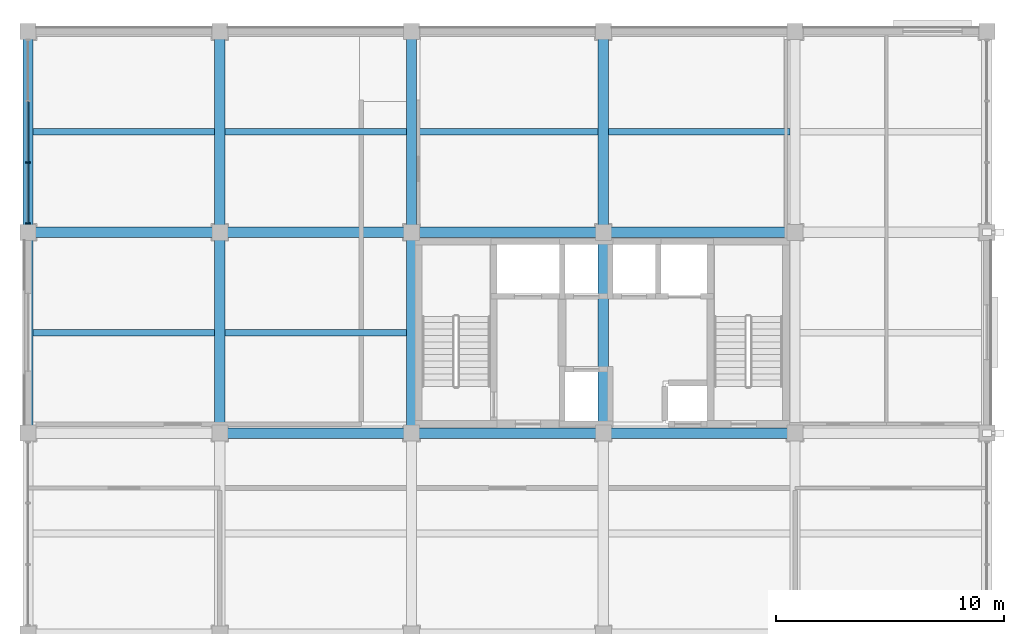
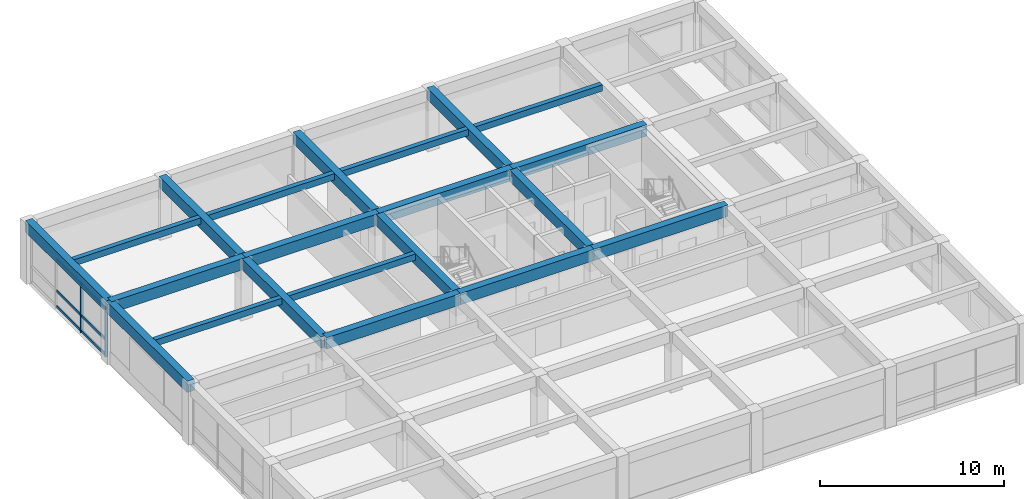
# One storey, part 3 of 14: 21 beams, 8 members, 1 element without a shape of its own.
"""IFC4 building model written with IfcOpenShell, lengths in metres."""

from ifc_helpers import new_model, si_unit, direction, frame, origin, origin_2d, place, context, subcontext, project, spatial, rectangle, extrude, material, material_profile, profile_set, type_object, element, aggregate, save


model = new_model("IFC4")

# Units and contexts
model_context = context("Model", 3, precision=1e-05, world=origin(), true_north=direction((0.0, 1.0)))
body_context = subcontext(model_context, "Body", "Model", "MODEL_VIEW")
ifc_project = project(units=[si_unit("LENGTHUNIT", "METRE"), si_unit("AREAUNIT", "SQUARE_METRE"), si_unit("VOLUMEUNIT", "CUBIC_METRE"), si_unit("PLANEANGLEUNIT", "RADIAN"), si_unit("MASSUNIT", "GRAM", prefix="KILO")], contexts=[model_context])

# Site, building, storey
site_placement = place(None, origin())
site = spatial("IfcSite", under=ifc_project, at=site_placement, CompositionType="ELEMENT")
building_placement = place(site_placement, origin())
building = spatial("IfcBuilding", under=site, at=building_placement, Name="Kemercrest Conservatory and Botanical Centre", CompositionType="ELEMENT")
storey_placement = place(building_placement, frame((0.0, 0.0, 32.800048828125)))
storey = spatial("IfcBuildingStorey", under=building, at=storey_placement, Name="L08", CompositionType="ELEMENT", Elevation=32.800048828125)

# Beams
ifc_material_1 = material(Name="Concrete C40/50", Category="concrete")
ifc_material_profile_1 = material_profile(ifc_material_1, rectangle(XDim=0.449951171875, YDim=0.75, at=origin_2d()), Name="RC 450x750")
ifc_profile_set_1 = profile_set([ifc_material_profile_1], Name="Concrete C40/50")
beam_type_1 = type_object("IfcBeamType", Name="BM-RC75", PredefinedType="BEAM", material=ifc_profile_set_1)
beam_1_placement = place(storey_placement, frame((142.39990234375, 104.800048828125, 3.625), z_axis=(1.0, 0.0, 0.0), x_axis=(0.0, 1.0, 0.0)))
element("IfcBeam", 1, at=beam_1_placement, inside=storey, type_object=beam_type_1, Name="V4-L09 beam BM-RC75 M/17-18", PredefinedType="BEAM", context=body_context, shape_type="SweptSolid", body=[
    extrude(rectangle(XDim=0.449951171875, YDim=0.75, at=origin_2d()), origin(), (0.0, 0.0, 1.0), 8.400146484375),
])
beam_2_placement = place(storey_placement, frame((150.800048828125, 104.800048828125, 3.625), z_axis=(1.0, 0.0, 0.0), x_axis=(0.0, 1.0, 0.0)))
element("IfcBeam", 2, at=beam_2_placement, inside=storey, type_object=beam_type_1, Name="V4-L09 beam BM-RC75 M/18-19", PredefinedType="BEAM", context=body_context, shape_type="SweptSolid", body=[
    extrude(rectangle(XDim=0.449951171875, YDim=0.75, at=origin_2d()), origin(), (0.0, 0.0, 1.0), 8.39990234375),
])
beam_3_placement = place(storey_placement, frame((159.199951171875, 104.800048828125, 3.625), z_axis=(1.0, 0.0, 0.0), x_axis=(0.0, 1.0, 0.0)))
element("IfcBeam", 3, at=beam_3_placement, inside=storey, type_object=beam_type_1, Name="V4-L09 beam BM-RC75 M/19-20", PredefinedType="BEAM", context=body_context, shape_type="SweptSolid", body=[
    extrude(rectangle(XDim=0.449951171875, YDim=0.75, at=origin_2d()), origin(), (0.0, 0.0, 1.0), 8.400146484375),
])
beam_4_placement = place(storey_placement, frame((134.0, 113.60009765625, 3.625), z_axis=(1.0, 0.0, 0.0), x_axis=(0.0, 1.0, 0.0)))
element("IfcBeam", 4, at=beam_4_placement, inside=storey, type_object=beam_type_1, Name="V4-L09 beam BM-RC75 N/16-17", PredefinedType="BEAM", context=body_context, shape_type="SweptSolid", body=[
    extrude(rectangle(XDim=0.449951171875, YDim=0.75, at=origin_2d()), origin(), (0.0, 0.0, 1.0), 8.39990234375),
])
beam_5_placement = place(storey_placement, frame((142.39990234375, 113.60009765625, 3.625), z_axis=(1.0, 0.0, 0.0), x_axis=(0.0, 1.0, 0.0)))
element("IfcBeam", 5, at=beam_5_placement, inside=storey, type_object=beam_type_1, Name="V4-L09 beam BM-RC75 N/17-18", PredefinedType="BEAM", context=body_context, shape_type="SweptSolid", body=[
    extrude(rectangle(XDim=0.449951171875, YDim=0.75, at=origin_2d()), origin(), (0.0, 0.0, 1.0), 8.400146484375),
])
beam_6_placement = place(storey_placement, frame((150.800048828125, 113.60009765625, 3.625), z_axis=(1.0, 0.0, 0.0), x_axis=(0.0, 1.0, 0.0)))
element("IfcBeam", 6, at=beam_6_placement, inside=storey, type_object=beam_type_1, Name="V4-L09 beam BM-RC75 N/18-19", PredefinedType="BEAM", context=body_context, shape_type="SweptSolid", body=[
    extrude(rectangle(XDim=0.449951171875, YDim=0.75, at=origin_2d()), origin(), (0.0, 0.0, 1.0), 8.39990234375),
])
beam_7_placement = place(storey_placement, frame((159.199951171875, 113.60009765625, 3.625), z_axis=(1.0, 0.0, 0.0), x_axis=(0.0, 1.0, 0.0)))
element("IfcBeam", 7, at=beam_7_placement, inside=storey, type_object=beam_type_1, Name="V4-L09 beam BM-RC75 N/19-20", PredefinedType="BEAM", context=body_context, shape_type="SweptSolid", body=[
    extrude(rectangle(XDim=0.449951171875, YDim=0.75, at=origin_2d()), origin(), (0.0, 0.0, 1.0), 8.400146484375),
])
beam_8_placement = place(storey_placement, frame((142.39990234375, 104.800048828125, 3.625), z_axis=(0.0, 1.0, 0.0), x_axis=(-1.0, 0.0, 0.0)))
element("IfcBeam", 8, at=beam_8_placement, inside=storey, type_object=beam_type_1, Name="V4-L09 beam BM-RC75 17/M-N", PredefinedType="BEAM", context=body_context, shape_type="SweptSolid", body=[
    extrude(rectangle(XDim=0.449951171875, YDim=0.75, at=origin_2d()), origin(), (0.0, 0.0, 1.0), 8.800048828125),
])
beam_9_placement = place(storey_placement, frame((142.39990234375, 113.60009765625, 3.625), z_axis=(0.0, 1.0, 0.0), x_axis=(-1.0, 0.0, 0.0)))
element("IfcBeam", 9, at=beam_9_placement, inside=storey, type_object=beam_type_1, Name="V4-L09 beam BM-RC75 17/N-P", PredefinedType="BEAM", context=body_context, shape_type="SweptSolid", body=[
    extrude(rectangle(XDim=0.449951171875, YDim=0.75, at=origin_2d()), origin(), (0.0, 0.0, 1.0), 8.7998046875),
])
beam_10_placement = place(storey_placement, frame((150.800048828125, 104.800048828125, 3.625), z_axis=(0.0, 1.0, 0.0), x_axis=(-1.0, 0.0, 0.0)))
element("IfcBeam", 10, at=beam_10_placement, inside=storey, type_object=beam_type_1, Name="V4-L09 beam BM-RC75 18/M-N", PredefinedType="BEAM", context=body_context, shape_type="SweptSolid", body=[
    extrude(rectangle(XDim=0.449951171875, YDim=0.75, at=origin_2d()), origin(), (0.0, 0.0, 1.0), 8.800048828125),
])
beam_11_placement = place(storey_placement, frame((150.800048828125, 113.60009765625, 3.625), z_axis=(0.0, 1.0, 0.0), x_axis=(-1.0, 0.0, 0.0)))
element("IfcBeam", 11, at=beam_11_placement, inside=storey, type_object=beam_type_1, Name="V4-L09 beam BM-RC75 18/N-P", PredefinedType="BEAM", context=body_context, shape_type="SweptSolid", body=[
    extrude(rectangle(XDim=0.449951171875, YDim=0.75, at=origin_2d()), origin(), (0.0, 0.0, 1.0), 8.7998046875),
])
beam_12_placement = place(storey_placement, frame((159.199951171875, 104.800048828125, 3.625), z_axis=(0.0, 1.0, 0.0), x_axis=(-1.0, 0.0, 0.0)))
element("IfcBeam", 12, at=beam_12_placement, inside=storey, type_object=beam_type_1, Name="V4-L09 beam BM-RC75 19/M-N", PredefinedType="BEAM", context=body_context, shape_type="SweptSolid", body=[
    extrude(rectangle(XDim=0.449951171875, YDim=0.75, at=origin_2d()), origin(), (0.0, 0.0, 1.0), 8.800048828125),
])
beam_13_placement = place(storey_placement, frame((159.199951171875, 113.60009765625, 3.625), z_axis=(0.0, 1.0, 0.0), x_axis=(-1.0, 0.0, 0.0)))
element("IfcBeam", 13, at=beam_13_placement, inside=storey, type_object=beam_type_1, Name="V4-L09 beam BM-RC75 19/N-P", PredefinedType="BEAM", context=body_context, shape_type="SweptSolid", body=[
    extrude(rectangle(XDim=0.449951171875, YDim=0.75, at=origin_2d()), origin(), (0.0, 0.0, 1.0), 8.7998046875),
])

# Curtain wall, members
ifc_material_2 = material(Name="Thermally broken aluminium and triple low-e glazing", Category="aluminium")
curtain_wall_type = type_object("IfcCurtainWallType", Name="CW-09", PredefinedType="USERDEFINED", material=ifc_material_2)
curtain_wall_placement = place(storey_placement, origin())
curtain_wall = element("IfcCurtainWall", 14, at=curtain_wall_placement, inside=storey, type_object=curtain_wall_type, Name="Unitised curtain wall CW-09 (CW:L08:V4-098)", ObjectType="UNITISED CURTAIN WALL", PredefinedType="USERDEFINED")
ifc_material_3 = material(Name="Thermally broken anodized aluminium 6063-T6", Category="aluminium")
ifc_material_profile_2 = material_profile(ifc_material_3, rectangle(XDim=0.199951171875, YDim=0.06494140625, at=origin_2d()), Name="AL MULLION 65x200")
ifc_profile_set_2 = profile_set([ifc_material_profile_2], Name="Thermally broken anodized aluminium 6063-T6")
member_type_1 = type_object("IfcMemberType", Name="CW-M200", PredefinedType="MULLION", material=ifc_profile_set_2)
member_1_placement = place(storey_placement, frame((134.0, 116.6484375, 0.0), z_axis=(0.0, 0.0, 1.0), x_axis=(1.0, 0.0, 0.0)))
member_1 = element("IfcMember", 15, at=member_1_placement, type_object=member_type_1, Name="CW-09 mullion 3", PredefinedType="MULLION", context=body_context, shape_type="SweptSolid", body=[
    extrude(rectangle(XDim=0.199951171875, YDim=0.06494140625, at=origin_2d()), origin(), (0.0, 0.0, 1.0), 3.2548828125),
])
member_2_placement = place(storey_placement, frame((134.0, 113.9775390625, 0.0), z_axis=(0.0, 0.0, 1.0), x_axis=(1.0, 0.0, 0.0)))
member_2 = element("IfcMember", 16, at=member_2_placement, type_object=member_type_1, Name="CW-09 mullion 4", PredefinedType="MULLION", context=body_context, shape_type="SweptSolid", body=[
    extrude(rectangle(XDim=0.199951171875, YDim=0.06494140625, at=origin_2d()), origin(), (0.0, 0.0, 1.0), 3.2548828125),
])
ifc_material_profile_3 = material_profile(ifc_material_3, rectangle(XDim=0.074951171875, YDim=0.179931640625, at=origin_2d()), Name="AL TRANSOM 75x180")
ifc_profile_set_3 = profile_set([ifc_material_profile_3], Name="Thermally broken anodized aluminium 6063-T6")
member_type_2 = type_object("IfcMemberType", Name="CW-T180", PredefinedType="USERDEFINED", material=ifc_profile_set_3)
member_3_placement = place(storey_placement, frame((134.0, 119.319091796875, 0.08984375), z_axis=(0.0, -1.0, 0.0), x_axis=(1.0, 0.0, 0.0)))
member_3 = element("IfcMember", 17, at=member_3_placement, type_object=member_type_2, Name="CW-09 transom 2.1", ObjectType="TRANSOM", PredefinedType="USERDEFINED", context=body_context, shape_type="SweptSolid", body=[
    extrude(rectangle(XDim=0.074951171875, YDim=0.179931640625, at=origin_2d()), origin(), (0.0, 0.0, 1.0), 2.63818359375),
])
member_4_placement = place(storey_placement, frame((134.0, 119.319091796875, 1.119873046875), z_axis=(0.0, -1.0, 0.0), x_axis=(1.0, 0.0, 0.0)))
member_4 = element("IfcMember", 18, at=member_4_placement, type_object=member_type_2, Name="CW-09 transom 2.2", ObjectType="TRANSOM", PredefinedType="USERDEFINED", context=body_context, shape_type="SweptSolid", body=[
    extrude(rectangle(XDim=0.074951171875, YDim=0.179931640625, at=origin_2d()), origin(), (0.0, 0.0, 1.0), 2.63818359375),
])
member_5_placement = place(storey_placement, frame((134.0, 119.319091796875, 3.1650390625), z_axis=(0.0, -1.0, 0.0), x_axis=(1.0, 0.0, 0.0)))
member_5 = element("IfcMember", 19, at=member_5_placement, type_object=member_type_2, Name="CW-09 transom 2.3", ObjectType="TRANSOM", PredefinedType="USERDEFINED", context=body_context, shape_type="SweptSolid", body=[
    extrude(rectangle(XDim=0.074951171875, YDim=0.179931640625, at=origin_2d()), origin(), (0.0, 0.0, 1.0), 2.63818359375),
])
member_6_placement = place(storey_placement, frame((134.0, 116.61572265625, 0.08984375), z_axis=(0.0, -1.0, 0.0), x_axis=(1.0, 0.0, 0.0)))
member_6 = element("IfcMember", 20, at=member_6_placement, type_object=member_type_2, Name="CW-09 transom 3.1", ObjectType="TRANSOM", PredefinedType="USERDEFINED", context=body_context, shape_type="SweptSolid", body=[
    extrude(rectangle(XDim=0.074951171875, YDim=0.179931640625, at=origin_2d()), origin(), (0.0, 0.0, 1.0), 2.605712890625),
])
member_7_placement = place(storey_placement, frame((134.0, 116.61572265625, 1.119873046875), z_axis=(0.0, -1.0, 0.0), x_axis=(1.0, 0.0, 0.0)))
member_7 = element("IfcMember", 21, at=member_7_placement, type_object=member_type_2, Name="CW-09 transom 3.2", ObjectType="TRANSOM", PredefinedType="USERDEFINED", context=body_context, shape_type="SweptSolid", body=[
    extrude(rectangle(XDim=0.074951171875, YDim=0.179931640625, at=origin_2d()), origin(), (0.0, 0.0, 1.0), 2.605712890625),
])
member_8_placement = place(storey_placement, frame((134.0, 116.61572265625, 3.1650390625), z_axis=(0.0, -1.0, 0.0), x_axis=(1.0, 0.0, 0.0)))
member_8 = element("IfcMember", 22, at=member_8_placement, type_object=member_type_2, Name="CW-09 transom 3.3", ObjectType="TRANSOM", PredefinedType="USERDEFINED", context=body_context, shape_type="SweptSolid", body=[
    extrude(rectangle(XDim=0.074951171875, YDim=0.179931640625, at=origin_2d()), origin(), (0.0, 0.0, 1.0), 2.605712890625),
])
aggregate(curtain_wall, [member_1, member_2, member_3, member_4, member_5, member_6, member_7, member_8])

# Beams
ifc_material_profile_4 = material_profile(ifc_material_1, rectangle(XDim=0.300048828125, YDim=0.419921875, at=origin_2d()), Name="RC 300x420")
ifc_profile_set_4 = profile_set([ifc_material_profile_4], Name="Concrete C40/50")
beam_type_2 = type_object("IfcBeamType", Name="JS-RC42", PredefinedType="JOIST", material=ifc_profile_set_4)
for number, where, z_axis, x_axis, name in (
    (23, (134.22509765625, 109.199951171875, 3.7900390625), (1.0, 0.0, 0.0), (0.0, 1.0, 0.0), "V4-L09 secondary joist JS-RC42"),
    (24, (142.625, 109.199951171875, 3.7900390625), (1.0, 0.0, 0.0), (0.0, 1.0, 0.0), "V4-L09 secondary joist JS-RC42"),
    (25, (134.22509765625, 118.0, 3.7900390625), (1.0, 0.0, 0.0), (0.0, 1.0, 0.0), "V4-L09 secondary joist JS-RC42"),
    (26, (142.625, 118.0, 3.7900390625), (1.0, 0.0, 0.0), (0.0, 1.0, 0.0), "V4-L09 secondary joist JS-RC42"),
):
    element("IfcBeam", number, at=place(storey_placement, frame(where, z_axis=z_axis, x_axis=x_axis)), inside=storey, type_object=beam_type_2, Name=name, PredefinedType="JOIST", context=body_context, shape_type="SweptSolid", body=[
        extrude(rectangle(XDim=0.300048828125, YDim=0.419921875, at=origin_2d()), origin(), (0.0, 0.0, 1.0), 7.949951171875),
    ])
beam_14_placement = place(storey_placement, frame((151.02490234375, 118.0, 3.7900390625), z_axis=(1.0, 0.0, 0.0), x_axis=(0.0, 1.0, 0.0)))
element("IfcBeam", 27, at=beam_14_placement, inside=storey, type_object=beam_type_2, Name="V4-L09 secondary joist JS-RC42", PredefinedType="JOIST", context=body_context, shape_type="SweptSolid", body=[
    extrude(rectangle(XDim=0.300048828125, YDim=0.419921875, at=origin_2d()), origin(), (0.0, 0.0, 1.0), 7.9501953125),
])
beam_15_placement = place(storey_placement, frame((159.425048828125, 118.0, 3.7900390625), z_axis=(1.0, 0.0, 0.0), x_axis=(0.0, 1.0, 0.0)))
element("IfcBeam", 28, at=beam_15_placement, inside=storey, type_object=beam_type_2, Name="V4-L09 secondary joist JS-RC42", PredefinedType="JOIST", context=body_context, shape_type="SweptSolid", body=[
    extrude(rectangle(XDim=0.300048828125, YDim=0.419921875, at=origin_2d()), origin(), (0.0, 0.0, 1.0), 7.949951171875),
])
ifc_material_profile_5 = material_profile(ifc_material_1, rectangle(XDim=0.449951171875, YDim=0.75, at=origin_2d()), Name="RC 450x750")
ifc_profile_set_5 = profile_set([ifc_material_profile_5], Name="Concrete C40/50")
beam_type_3 = type_object("IfcBeamType", Name="SP-RC75", PredefinedType="SPANDREL", material=ifc_profile_set_5)
beam_16_placement = place(storey_placement, frame((134.0, 104.800048828125, 3.625), z_axis=(0.0, 1.0, 0.0), x_axis=(-1.0, 0.0, 0.0)))
element("IfcBeam", 29, at=beam_16_placement, inside=storey, type_object=beam_type_3, Name="V4-L09 beam SP-RC75 16/M-N", PredefinedType="SPANDREL", context=body_context, shape_type="SweptSolid", body=[
    extrude(rectangle(XDim=0.449951171875, YDim=0.75, at=origin_2d()), origin(), (0.0, 0.0, 1.0), 8.800048828125),
])
beam_17_placement = place(storey_placement, frame((134.0, 113.60009765625, 3.625), z_axis=(0.0, 1.0, 0.0), x_axis=(-1.0, 0.0, 0.0)))
element("IfcBeam", 30, at=beam_17_placement, inside=storey, type_object=beam_type_3, Name="V4-L09 beam SP-RC75 16/N-P", PredefinedType="SPANDREL", context=body_context, shape_type="SweptSolid", body=[
    extrude(rectangle(XDim=0.449951171875, YDim=0.75, at=origin_2d()), origin(), (0.0, 0.0, 1.0), 8.7998046875),
])

save(model, "model.ifc")
